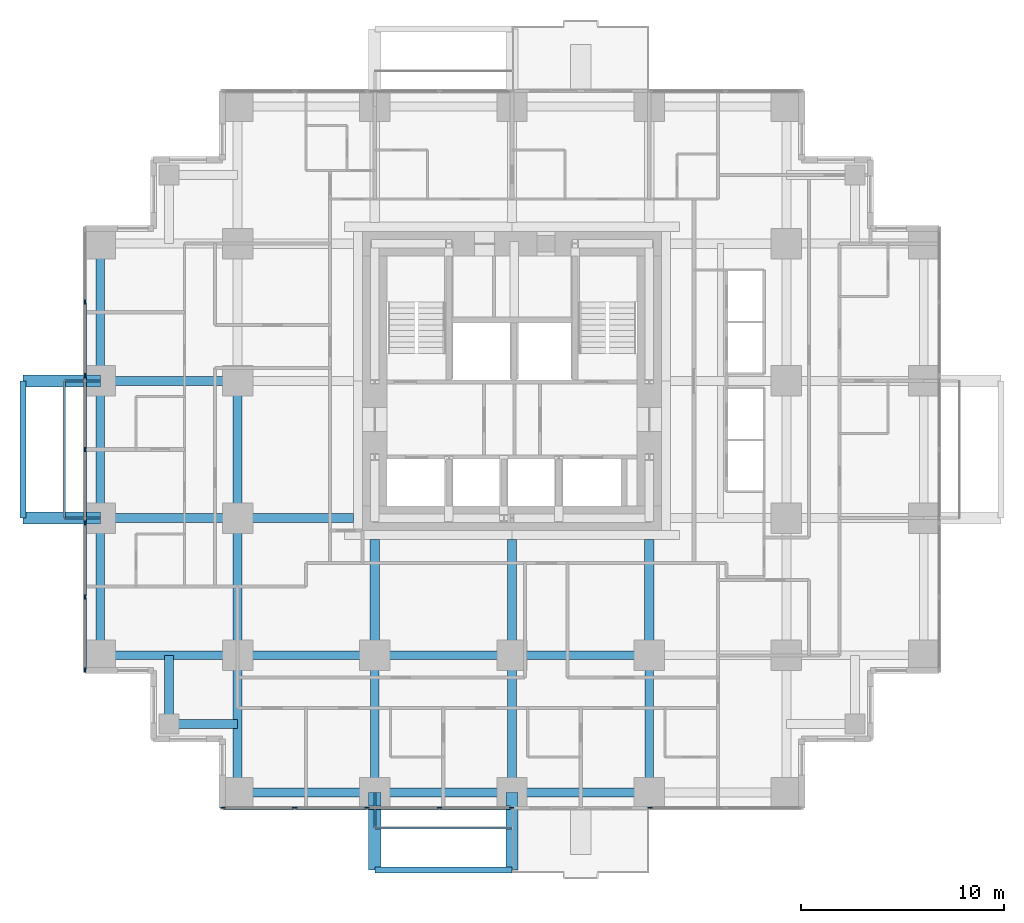
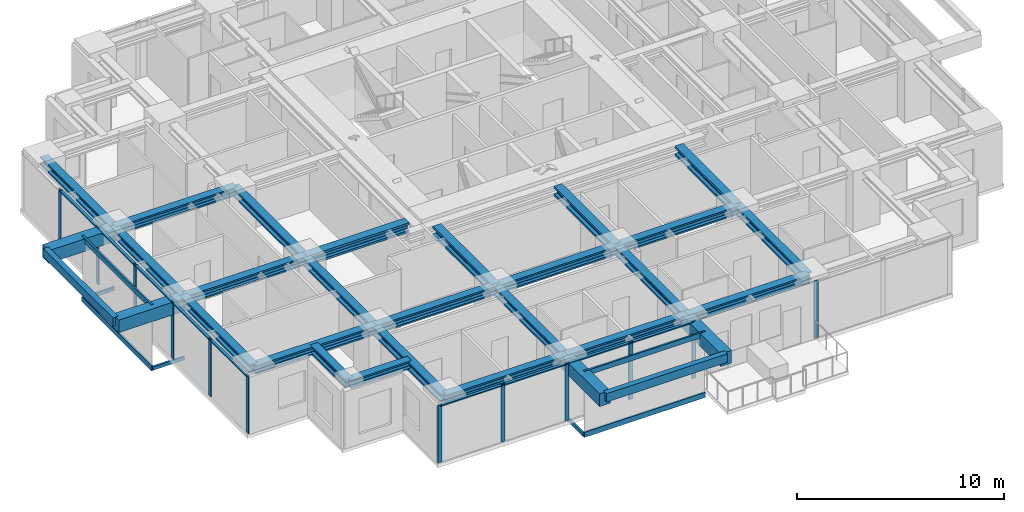
# One storey, part 2 of 12: 30 beams, 28 members, 3 elements without a shape of their own.
"""IFC4 building model written with IfcOpenShell, lengths in metres."""

from ifc_helpers import new_model, si_unit, direction, frame, origin, origin_2d, place, context, subcontext, project, spatial, rectangle, hollow_rectangle, i_section, extrude, material, material_profile, profile_set, type_object, element, aggregate, save


model = new_model("IFC4")

# Units and contexts
model_context = context("Model", 3, precision=1e-05, world=origin(), true_north=direction((0.0, 1.0)))
body_context = subcontext(model_context, "Body", "Model", "MODEL_VIEW")
ifc_project = project(units=[si_unit("LENGTHUNIT", "METRE"), si_unit("AREAUNIT", "SQUARE_METRE"), si_unit("VOLUMEUNIT", "CUBIC_METRE"), si_unit("PLANEANGLEUNIT", "RADIAN"), si_unit("MASSUNIT", "GRAM", prefix="KILO")], contexts=[model_context])

# Site, building, storey
site_placement = place(None, origin())
site = spatial("IfcSite", under=ifc_project, at=site_placement, CompositionType="ELEMENT")
building_placement = place(site_placement, origin())
building = spatial("IfcBuilding", under=site, at=building_placement, Name="Nyansa Garden Tower", CompositionType="ELEMENT")
storey_placement = place(building_placement, frame((0.0, 0.0, 112.5)))
storey = spatial("IfcBuildingStorey", under=building, at=storey_placement, Name="L30", CompositionType="ELEMENT", Elevation=112.5)

# Beams
ifc_material_1 = material(Name="Concrete C70/85", Category="concrete")
ifc_material_profile_1 = material_profile(ifc_material_1, rectangle(XDim=0.60009765625, YDim=0.75, at=origin_2d()), Name="RC 600x750")
ifc_profile_set_1 = profile_set([ifc_material_profile_1], Name="Concrete C70/85")
beam_type_1 = type_object("IfcBeamType", Name="Balcony cantilever beam CB1 RC 600x750", PredefinedType="BEAM", material=ifc_profile_set_1)
for number, where, z_axis, x_axis, name in (
    (1, (13.5, 0.0, 2.985107421875), (0.0, -1.0, 0.0), (1.0, 0.0, 0.0), "Balcony cantilever beam L31"),
    (2, (20.25, 0.0, 2.985107421875), (0.0, -1.0, 0.0), (1.0, 0.0, 0.0), "Balcony cantilever beam L31"),
    (3, (0.0, 13.5, 2.985107421875), (-1.0, 0.0, 0.0), (0.0, -1.0, 0.0), "Balcony cantilever beam L31"),
    (4, (0.0, 20.25, 2.985107421875), (-1.0, 0.0, 0.0), (0.0, -1.0, 0.0), "Balcony cantilever beam L31"),
):
    element("IfcBeam", number, at=place(storey_placement, frame(where, z_axis=z_axis, x_axis=x_axis)), inside=storey, type_object=beam_type_1, Name=name, PredefinedType="BEAM", context=body_context, shape_type="SweptSolid", body=[
        extrude(rectangle(XDim=0.60009765625, YDim=0.75, at=origin_2d()), origin(), (0.0, 0.0, 1.0), 3.800048828125),
    ])
ifc_material_2 = material(Name="Concrete C70/85", Category="concrete")
ifc_material_profile_2 = material_profile(ifc_material_2, rectangle(XDim=0.300048828125, YDim=0.5, at=origin_2d()), Name="RC 300x500")
ifc_profile_set_2 = profile_set([ifc_material_profile_2], Name="Concrete C70/85")
beam_type_2 = type_object("IfcBeamType", Name="Balcony edge beam BE1 RC 300x500", PredefinedType="BEAM", material=ifc_profile_set_2)
for number, where, z_axis, x_axis, name in (
    (5, (13.5, -3.800048828125, 3.110107421875), (1.0, 0.0, 0.0), (0.0, 1.0, 0.0), "Balcony edge beam L31"),
    (6, (-3.800048828125, 13.5, 3.110107421875), (0.0, 1.0, 0.0), (-1.0, 0.0, 0.0), "Balcony edge beam L31"),
):
    element("IfcBeam", number, at=place(storey_placement, frame(where, z_axis=z_axis, x_axis=x_axis)), inside=storey, type_object=beam_type_2, Name=name, PredefinedType="BEAM", context=body_context, shape_type="SweptSolid", body=[
        extrude(rectangle(XDim=0.300048828125, YDim=0.5, at=origin_2d()), origin(), (0.0, 0.0, 1.0), 6.75),
    ])

# Curtain wall, members
ifc_material_3 = material(Name="Black anodised aluminium, dark tinted double glazing", Category="aluminium")
curtain_wall_type = type_object("IfcCurtainWallType", Name="Inner skin curtain wall ISW-B", PredefinedType="USERDEFINED", material=ifc_material_3)
curtain_wall_1_placement = place(storey_placement, origin())
curtain_wall_1 = element("IfcCurtainWall", 7, at=curtain_wall_1_placement, inside=storey, type_object=curtain_wall_type, Name="Inner skin curtain wall L30 W", ObjectType="UNITISED CURTAIN WALL", PredefinedType="USERDEFINED")
ifc_material_4 = material(Name="Black anodised aluminium", Category="aluminium")
ifc_material_profile_3 = material_profile(ifc_material_4, rectangle(XDim=0.06494140625, YDim=0.22509765625, at=origin_2d()), Name="Mullion 225x65")
ifc_profile_set_3 = profile_set([ifc_material_profile_3], Name="Black anodised aluminium")
member_type_1 = type_object("IfcMemberType", Name="Mullion ISW-B 225x65", PredefinedType="MULLION", material=ifc_profile_set_3)
member_1_placement = place(storey_placement, frame((-0.75, 24.125, 0.0), z_axis=(0.0, 0.0, 1.0), x_axis=(1.0, 0.0, 0.0)))
member_1 = element("IfcMember", 8, at=member_1_placement, type_object=member_type_1, Name="ISW-B mullion 2", PredefinedType="MULLION", context=body_context, shape_type="SweptSolid", body=[
    extrude(rectangle(XDim=0.06494140625, YDim=0.22509765625, at=origin_2d()), origin(), (0.0, 0.0, 1.0), 3.375),
])
member_2_placement = place(storey_placement, frame((-0.75, 20.5, 0.0), z_axis=(0.0, 0.0, 1.0), x_axis=(1.0, 0.0, 0.0)))
member_2 = element("IfcMember", 9, at=member_2_placement, type_object=member_type_1, Name="ISW-B mullion 3", PredefinedType="MULLION", context=body_context, shape_type="SweptSolid", body=[
    extrude(rectangle(XDim=0.06494140625, YDim=0.22509765625, at=origin_2d()), origin(), (0.0, 0.0, 1.0), 3.375),
])
member_3_placement = place(storey_placement, frame((-0.75, 16.875, 0.0), z_axis=(0.0, 0.0, 1.0), x_axis=(1.0, 0.0, 0.0)))
member_3 = element("IfcMember", 10, at=member_3_placement, type_object=member_type_1, Name="ISW-B mullion 4", PredefinedType="MULLION", context=body_context, shape_type="SweptSolid", body=[
    extrude(rectangle(XDim=0.06494140625, YDim=0.22509765625, at=origin_2d()), origin(), (0.0, 0.0, 1.0), 3.375),
])
member_4_placement = place(storey_placement, frame((-0.75, 13.25, 0.0), z_axis=(0.0, 0.0, 1.0), x_axis=(1.0, 0.0, 0.0)))
member_4 = element("IfcMember", 11, at=member_4_placement, type_object=member_type_1, Name="ISW-B mullion 5", PredefinedType="MULLION", context=body_context, shape_type="SweptSolid", body=[
    extrude(rectangle(XDim=0.06494140625, YDim=0.22509765625, at=origin_2d()), origin(), (0.0, 0.0, 1.0), 3.375),
])
member_5_placement = place(storey_placement, frame((-0.75, 9.625, 0.0), z_axis=(0.0, 0.0, 1.0), x_axis=(1.0, 0.0, 0.0)))
member_5 = element("IfcMember", 12, at=member_5_placement, type_object=member_type_1, Name="ISW-B mullion 6", PredefinedType="MULLION", context=body_context, shape_type="SweptSolid", body=[
    extrude(rectangle(XDim=0.06494140625, YDim=0.22509765625, at=origin_2d()), origin(), (0.0, 0.0, 1.0), 3.375),
])
member_6_placement = place(storey_placement, frame((-0.75, 6.032470703125, 0.0), z_axis=(0.0, 0.0, 1.0), x_axis=(1.0, 0.0, 0.0)))
member_6 = element("IfcMember", 13, at=member_6_placement, type_object=member_type_1, Name="ISW-B mullion 7", PredefinedType="MULLION", context=body_context, shape_type="SweptSolid", body=[
    extrude(rectangle(XDim=0.06494140625, YDim=0.22509765625, at=origin_2d()), origin(), (0.0, 0.0, 1.0), 3.375),
])

curtain_wall_2_placement = place(storey_placement, origin())
curtain_wall_2 = element("IfcCurtainWall", 14, at=curtain_wall_2_placement, inside=storey, type_object=curtain_wall_type, Name="Inner skin curtain wall L30 S", ObjectType="UNITISED CURTAIN WALL", PredefinedType="USERDEFINED")
member_7_placement = place(storey_placement, frame((6.032470703125, -0.75, 0.0), z_axis=(0.0, 0.0, 1.0), x_axis=(0.0, 1.0, 0.0)))
member_7 = element("IfcMember", 15, at=member_7_placement, type_object=member_type_1, Name="ISW-B mullion 1", PredefinedType="MULLION", context=body_context, shape_type="SweptSolid", body=[
    extrude(rectangle(XDim=0.06494140625, YDim=0.22509765625, at=origin_2d()), origin(), (0.0, 0.0, 1.0), 3.375),
])
member_8_placement = place(storey_placement, frame((9.5625, -0.75, 0.0), z_axis=(0.0, 0.0, 1.0), x_axis=(0.0, 1.0, 0.0)))
member_8 = element("IfcMember", 16, at=member_8_placement, type_object=member_type_1, Name="ISW-B mullion 2", PredefinedType="MULLION", context=body_context, shape_type="SweptSolid", body=[
    extrude(rectangle(XDim=0.06494140625, YDim=0.22509765625, at=origin_2d()), origin(), (0.0, 0.0, 1.0), 3.375),
])
member_9_placement = place(storey_placement, frame((13.125, -0.75, 0.0), z_axis=(0.0, 0.0, 1.0), x_axis=(0.0, 1.0, 0.0)))
member_9 = element("IfcMember", 17, at=member_9_placement, type_object=member_type_1, Name="ISW-B mullion 3", PredefinedType="MULLION", context=body_context, shape_type="SweptSolid", body=[
    extrude(rectangle(XDim=0.06494140625, YDim=0.22509765625, at=origin_2d()), origin(), (0.0, 0.0, 1.0), 3.375),
])
member_10_placement = place(storey_placement, frame((16.6875, -0.75, 0.0), z_axis=(0.0, 0.0, 1.0), x_axis=(0.0, 1.0, 0.0)))
member_10 = element("IfcMember", 18, at=member_10_placement, type_object=member_type_1, Name="ISW-B mullion 4", PredefinedType="MULLION", context=body_context, shape_type="SweptSolid", body=[
    extrude(rectangle(XDim=0.06494140625, YDim=0.22509765625, at=origin_2d()), origin(), (0.0, 0.0, 1.0), 3.375),
])
member_11_placement = place(storey_placement, frame((20.217529296875, -0.75, 0.0), z_axis=(0.0, 0.0, 1.0), x_axis=(0.0, 1.0, 0.0)))
member_11 = element("IfcMember", 19, at=member_11_placement, type_object=member_type_1, Name="ISW-B mullion 5", PredefinedType="MULLION", context=body_context, shape_type="SweptSolid", body=[
    extrude(rectangle(XDim=0.06494140625, YDim=0.22509765625, at=origin_2d()), origin(), (0.0, 0.0, 1.0), 3.375),
])

# Curtain wall, member
curtain_wall_3_placement = place(storey_placement, origin())
curtain_wall_3 = element("IfcCurtainWall", 20, at=curtain_wall_3_placement, inside=storey, type_object=curtain_wall_type, Name="Inner skin curtain wall L30 S", ObjectType="UNITISED CURTAIN WALL", PredefinedType="USERDEFINED")
member_12_placement = place(storey_placement, frame((27.032470703125, -0.75, 0.0), z_axis=(0.0, 0.0, 1.0), x_axis=(0.0, 1.0, 0.0)))
member_12 = element("IfcMember", 21, at=member_12_placement, type_object=member_type_1, Name="ISW-B mullion 1", PredefinedType="MULLION", context=body_context, shape_type="SweptSolid", body=[
    extrude(rectangle(XDim=0.06494140625, YDim=0.22509765625, at=origin_2d()), origin(), (0.0, 0.0, 1.0), 3.375),
])
aggregate(curtain_wall_3, [member_12])

# Members
ifc_material_5 = material(Name="Steel S355, black powder coated", Category="steel")
ifc_material_profile_4 = material_profile(ifc_material_5, hollow_rectangle(XDim=0.10009765625, YDim=0.199951171875, WallThickness=0.008056640625, at=origin_2d()), Name="RHS 200x100x8")
ifc_profile_set_4 = profile_set([ifc_material_profile_4], Name="Steel S355, black powder coated")
member_type_2 = type_object("IfcMemberType", Name="Outer skin bracket arm RHS 200x100x8", PredefinedType="USERDEFINED", material=ifc_profile_set_4)
for number, where, z_axis, x_axis, name in (
    (22, (0.0, 13.5, -0.375), (-1.0, 0.0, 0.0), (0.0, -1.0, 0.0), "Outer skin bracket arm"),
    (23, (0.0, 20.25, -0.375), (-1.0, 0.0, 0.0), (0.0, -1.0, 0.0), "Outer skin bracket arm"),
    (24, (13.5, 0.0, -0.375), (0.0, -1.0, 0.0), (1.0, 0.0, 0.0), "Outer skin bracket arm"),
):
    element("IfcMember", number, at=place(storey_placement, frame(where, z_axis=z_axis, x_axis=x_axis)), inside=storey, type_object=member_type_2, Name=name, ObjectType="OUTER SKIN BRACKET", PredefinedType="USERDEFINED", context=body_context, shape_type="SweptSolid", body=[
        extrude(hollow_rectangle(XDim=0.10009765625, YDim=0.199951171875, WallThickness=0.008056640625, at=origin_2d()), origin(), (0.0, 0.0, 1.0), 1.75),
    ])
ifc_material_6 = material(Name="Steel S355, black powder coated", Category="steel")
ifc_material_profile_5 = material_profile(ifc_material_6, hollow_rectangle(XDim=0.10009765625, YDim=0.300048828125, WallThickness=0.010009765625, at=origin_2d()), Name="RHS 300x100x10")
ifc_profile_set_5 = profile_set([ifc_material_profile_5], Name="Steel S355, black powder coated")
member_type_3 = type_object("IfcMemberType", Name="Outer skin rail RHS 300x100x10", PredefinedType="USERDEFINED", material=ifc_profile_set_5)
for number, where, z_axis, x_axis, name in (
    (25, (-1.75, 13.5, -0.375), (0.0, 1.0, 0.0), (-1.0, 0.0, 0.0), "Outer skin rail L30"),
    (26, (-1.75, 13.5, 3.22509765625), (0.0, 1.0, 0.0), (-1.0, 0.0, 0.0), "Outer skin rail L30 head"),
    (27, (13.5, -1.75, -0.375), (1.0, 0.0, 0.0), (0.0, 1.0, 0.0), "Outer skin rail L30"),
    (28, (13.5, -1.75, 3.22509765625), (1.0, 0.0, 0.0), (0.0, 1.0, 0.0), "Outer skin rail L30 head"),
):
    element("IfcMember", number, at=place(storey_placement, frame(where, z_axis=z_axis, x_axis=x_axis)), inside=storey, type_object=member_type_3, Name=name, ObjectType="OUTER SKIN RAIL", PredefinedType="USERDEFINED", context=body_context, shape_type="SweptSolid", body=[
        extrude(hollow_rectangle(XDim=0.10009765625, YDim=0.300048828125, WallThickness=0.010009765625, at=origin_2d()), origin(), (0.0, 0.0, 1.0), 6.75),
    ])

# Beams
ifc_material_7 = material(Name="Steel S355", Category="steel")
ifc_material_profile_6 = material_profile(ifc_material_7, i_section(OverallWidth=0.431884765625, OverallDepth=0.498046875, WebThickness=0.0556640625, FlangeThickness=0.0888671875, FilletRadius=0.014892578125, at=origin_2d()), Name="HD 400x744")
ifc_profile_set_6 = profile_set([ifc_material_profile_6], Name="Steel S355")
beam_type_3 = type_object("IfcBeamType", Name="Steel beam SBB1-744 HD 400x744", PredefinedType="BEAM", material=ifc_profile_set_6)
for number, where, z_axis, x_axis, name in (
    (29, (0.0, 6.75, 3.1259765625), (1.0, 0.0, 0.0), (0.0, 1.0, 0.0), "Steel beam 2/E-3/E L31"),
    (30, (0.0, 13.5, 3.1259765625), (1.0, 0.0, 0.0), (0.0, 1.0, 0.0), "Steel beam 2/F-3/F L31"),
    (31, (0.0, 20.25, 3.1259765625), (1.0, 0.0, 0.0), (0.0, 1.0, 0.0), "Steel beam 2/G-3/G L31"),
    (32, (6.75, 0.0, 3.1259765625), (0.0, 1.0, 0.0), (-1.0, 0.0, 0.0), "Steel beam 3/D-3/E L31"),
    (33, (6.75, 6.75, 3.1259765625), (0.0, 1.0, 0.0), (-1.0, 0.0, 0.0), "Steel beam 3/E-3/F L31"),
    (34, (6.75, 6.75, 3.1259765625), (1.0, 0.0, 0.0), (0.0, 1.0, 0.0), "Steel beam 3/E-4/E L31"),
    (35, (6.75, 13.5, 3.1259765625), (0.0, 1.0, 0.0), (-1.0, 0.0, 0.0), "Steel beam 3/F-3/G L31"),
    (36, (13.5, 0.0, 3.1259765625), (0.0, 1.0, 0.0), (-1.0, 0.0, 0.0), "Steel beam 4/D-4/E L31"),
    (37, (13.5, 6.75, 3.1259765625), (1.0, 0.0, 0.0), (0.0, 1.0, 0.0), "Steel beam 4/E-5/E L31"),
    (38, (20.25, 0.0, 3.1259765625), (0.0, 1.0, 0.0), (-1.0, 0.0, 0.0), "Steel beam 5/D-5/E L31"),
    (39, (20.25, 6.75, 3.1259765625), (1.0, 0.0, 0.0), (0.0, 1.0, 0.0), "Steel beam 5/E-6/E L31"),
    (40, (27.0, 0.0, 3.1259765625), (0.0, 1.0, 0.0), (-1.0, 0.0, 0.0), "Steel beam 6/D-6/E L31"),
):
    element("IfcBeam", number, at=place(storey_placement, frame(where, z_axis=z_axis, x_axis=x_axis)), inside=storey, type_object=beam_type_3, Name=name, PredefinedType="BEAM", context=body_context, shape_type="SweptSolid", body=[
        extrude(i_section(OverallWidth=0.431884765625, OverallDepth=0.498046875, WebThickness=0.0556640625, FlangeThickness=0.0888671875, FilletRadius=0.014892578125, at=origin_2d()), origin(), (0.0, 0.0, 1.0), 6.75),
    ])
ifc_material_8 = material(Name="Steel S355", Category="steel")
ifc_material_profile_7 = material_profile(ifc_material_8, i_section(OverallWidth=0.4541015625, OverallDepth=0.569091796875, WebThickness=0.077880859375, FlangeThickness=0.125, FilletRadius=0.014892578125, at=origin_2d()), Name="HD 400x1086")
ifc_profile_set_7 = profile_set([ifc_material_profile_7], Name="Steel S355")
beam_type_4 = type_object("IfcBeamType", Name="Steel beam SCL-1086 HD 400x1086", PredefinedType="BEAM", material=ifc_profile_set_7)
for number, where, z_axis, x_axis, name in (
    (41, (6.75, 13.5, 3.090576171875), (1.0, 0.0, 0.0), (0.0, 1.0, 0.0), "Steel beam 3/F-12.450/F L31"),
    (42, (13.5, 6.75, 3.090576171875), (0.0, 1.0, 0.0), (-1.0, 0.0, 0.0), "Steel beam 4/E-4/12.450 L31"),
    (43, (20.25, 6.75, 3.090576171875), (0.0, 1.0, 0.0), (-1.0, 0.0, 0.0), "Steel beam 5/E-5/12.450 L31"),
    (44, (27.0, 6.75, 3.090576171875), (0.0, 1.0, 0.0), (-1.0, 0.0, 0.0), "Steel beam 6/E-6/12.450 L31"),
):
    element("IfcBeam", number, at=place(storey_placement, frame(where, z_axis=z_axis, x_axis=x_axis)), inside=storey, type_object=beam_type_4, Name=name, PredefinedType="BEAM", context=body_context, shape_type="SweptSolid", body=[
        extrude(i_section(OverallWidth=0.4541015625, OverallDepth=0.569091796875, WebThickness=0.077880859375, FlangeThickness=0.125, FilletRadius=0.014892578125, at=origin_2d()), origin(), (0.0, 0.0, 1.0), 5.699951171875),
    ])
ifc_material_9 = material(Name="Steel S355", Category="steel")
ifc_material_profile_8 = material_profile(ifc_material_9, i_section(OverallWidth=0.431884765625, OverallDepth=0.498046875, WebThickness=0.0556640625, FlangeThickness=0.0888671875, FilletRadius=0.014892578125, at=origin_2d()), Name="HD 400x744")
ifc_profile_set_8 = profile_set([ifc_material_profile_8], Name="Steel S355")
beam_type_5 = type_object("IfcBeamType", Name="Steel beam SEBB-744 HD 400x744", PredefinedType="BEAM", material=ifc_profile_set_8)
for number, where, z_axis, x_axis, name in (
    (45, (0.0, 6.75, 3.1259765625), (0.0, 1.0, 0.0), (-1.0, 0.0, 0.0), "Steel edge beam 2/E-2/F L31"),
    (46, (0.0, 13.5, 3.1259765625), (0.0, 1.0, 0.0), (-1.0, 0.0, 0.0), "Steel edge beam 2/F-2/G L31"),
    (47, (0.0, 20.25, 3.1259765625), (0.0, 1.0, 0.0), (-1.0, 0.0, 0.0), "Steel edge beam 2/G-2/H L31"),
    (48, (6.75, 0.0, 3.1259765625), (1.0, 0.0, 0.0), (0.0, 1.0, 0.0), "Steel edge beam 3/D-4/D L31"),
    (49, (13.5, 0.0, 3.1259765625), (1.0, 0.0, 0.0), (0.0, 1.0, 0.0), "Steel edge beam 4/D-5/D L31"),
    (50, (20.25, 0.0, 3.1259765625), (1.0, 0.0, 0.0), (0.0, 1.0, 0.0), "Steel edge beam 5/D-6/D L31"),
):
    element("IfcBeam", number, at=place(storey_placement, frame(where, z_axis=z_axis, x_axis=x_axis)), inside=storey, type_object=beam_type_5, Name=name, PredefinedType="BEAM", context=body_context, shape_type="SweptSolid", body=[
        extrude(i_section(OverallWidth=0.431884765625, OverallDepth=0.498046875, WebThickness=0.0556640625, FlangeThickness=0.0888671875, FilletRadius=0.014892578125, at=origin_2d()), origin(), (0.0, 0.0, 1.0), 6.75),
    ])
ifc_material_10 = material(Name="Steel S355", Category="steel")
ifc_material_profile_9 = material_profile(ifc_material_10, i_section(OverallWidth=0.431884765625, OverallDepth=0.498046875, WebThickness=0.0556640625, FlangeThickness=0.0888671875, FilletRadius=0.014892578125, at=origin_2d()), Name="HD 400x744")
ifc_profile_set_9 = profile_set([ifc_material_profile_9], Name="Steel S355")
beam_type_6 = type_object("IfcBeamType", Name="Steel beam SSB1-744 HD 400x744", PredefinedType="BEAM", material=ifc_profile_set_9)
for number, where, z_axis, x_axis, name in (
    (51, (3.375, 3.375, 3.1259765625), (0.0, 1.0, 0.0), (-1.0, 0.0, 0.0), "Steel step beam 3.375/3.375 L31"),
    (52, (3.375, 3.375, 3.1259765625), (1.0, 0.0, 0.0), (0.0, 1.0, 0.0), "Steel step beam 3.375/3.375 L31"),
):
    element("IfcBeam", number, at=place(storey_placement, frame(where, z_axis=z_axis, x_axis=x_axis)), inside=storey, type_object=beam_type_6, Name=name, PredefinedType="BEAM", context=body_context, shape_type="SweptSolid", body=[
        extrude(i_section(OverallWidth=0.431884765625, OverallDepth=0.498046875, WebThickness=0.0556640625, FlangeThickness=0.0888671875, FilletRadius=0.014892578125, at=origin_2d()), origin(), (0.0, 0.0, 1.0), 3.375),
    ])

# Member
ifc_material_11 = material(Name="Black anodised aluminium", Category="aluminium")
ifc_material_profile_10 = material_profile(ifc_material_11, rectangle(XDim=0.1650390625, YDim=0.06494140625, at=origin_2d()), Name="Transom 165x65")
ifc_profile_set_10 = profile_set([ifc_material_profile_10], Name="Black anodised aluminium")
member_type_4 = type_object("IfcMemberType", Name="Transom ISW-B 165x65", PredefinedType="USERDEFINED", material=ifc_profile_set_10)
member_13_placement = place(storey_placement, frame((-0.75, 24.092529296875, 3.342529296875), z_axis=(0.0, -1.0, 0.0), x_axis=(1.0, 0.0, 0.0)))
member_13 = element("IfcMember", 53, at=member_13_placement, type_object=member_type_4, Name="ISW-B transom 2", ObjectType="TRANSOM", PredefinedType="USERDEFINED", context=body_context, shape_type="SweptSolid", body=[
    extrude(rectangle(XDim=0.1650390625, YDim=0.06494140625, at=origin_2d()), origin(), (0.0, 0.0, 1.0), 3.56005859375),
])

member_14_placement = place(storey_placement, frame((-0.75, 20.467529296875, 3.342529296875), z_axis=(0.0, -1.0, 0.0), x_axis=(1.0, 0.0, 0.0)))
member_14 = element("IfcMember", 54, at=member_14_placement, type_object=member_type_4, Name="ISW-B transom 3", ObjectType="TRANSOM", PredefinedType="USERDEFINED", context=body_context, shape_type="SweptSolid", body=[
    extrude(rectangle(XDim=0.1650390625, YDim=0.06494140625, at=origin_2d()), origin(), (0.0, 0.0, 1.0), 3.56005859375),
])

member_15_placement = place(storey_placement, frame((-0.75, 16.842529296875, 3.342529296875), z_axis=(0.0, -1.0, 0.0), x_axis=(1.0, 0.0, 0.0)))
member_15 = element("IfcMember", 55, at=member_15_placement, type_object=member_type_4, Name="ISW-B transom 4", ObjectType="TRANSOM", PredefinedType="USERDEFINED", context=body_context, shape_type="SweptSolid", body=[
    extrude(rectangle(XDim=0.1650390625, YDim=0.06494140625, at=origin_2d()), origin(), (0.0, 0.0, 1.0), 3.56005859375),
])

member_16_placement = place(storey_placement, frame((-0.75, 13.217529296875, 3.342529296875), z_axis=(0.0, -1.0, 0.0), x_axis=(1.0, 0.0, 0.0)))
member_16 = element("IfcMember", 56, at=member_16_placement, type_object=member_type_4, Name="ISW-B transom 5", ObjectType="TRANSOM", PredefinedType="USERDEFINED", context=body_context, shape_type="SweptSolid", body=[
    extrude(rectangle(XDim=0.1650390625, YDim=0.06494140625, at=origin_2d()), origin(), (0.0, 0.0, 1.0), 3.56005859375),
])

member_17_placement = place(storey_placement, frame((-0.75, 9.592529296875, 3.342529296875), z_axis=(0.0, -1.0, 0.0), x_axis=(1.0, 0.0, 0.0)))
member_17 = element("IfcMember", 57, at=member_17_placement, type_object=member_type_4, Name="ISW-B transom 6", ObjectType="TRANSOM", PredefinedType="USERDEFINED", context=body_context, shape_type="SweptSolid", body=[
    extrude(rectangle(XDim=0.1650390625, YDim=0.06494140625, at=origin_2d()), origin(), (0.0, 0.0, 1.0), 3.527587890625),
])

aggregate(curtain_wall_1, [member_1, member_2, member_3, member_4, member_5, member_6, member_13, member_14, member_15, member_16, member_17])

member_18_placement = place(storey_placement, frame((6.06494140625, -0.75, 3.342529296875), z_axis=(1.0, 0.0, 0.0), x_axis=(0.0, 1.0, 0.0)))
member_18 = element("IfcMember", 58, at=member_18_placement, type_object=member_type_4, Name="ISW-B transom 1", ObjectType="TRANSOM", PredefinedType="USERDEFINED", context=body_context, shape_type="SweptSolid", body=[
    extrude(rectangle(XDim=0.1650390625, YDim=0.06494140625, at=origin_2d()), origin(), (0.0, 0.0, 1.0), 3.465087890625),
])

member_19_placement = place(storey_placement, frame((9.594970703125, -0.75, 3.342529296875), z_axis=(1.0, 0.0, 0.0), x_axis=(0.0, 1.0, 0.0)))
member_19 = element("IfcMember", 59, at=member_19_placement, type_object=member_type_4, Name="ISW-B transom 2", ObjectType="TRANSOM", PredefinedType="USERDEFINED", context=body_context, shape_type="SweptSolid", body=[
    extrude(rectangle(XDim=0.1650390625, YDim=0.06494140625, at=origin_2d()), origin(), (0.0, 0.0, 1.0), 3.49755859375),
])

member_20_placement = place(storey_placement, frame((13.157470703125, -0.75, 3.342529296875), z_axis=(1.0, 0.0, 0.0), x_axis=(0.0, 1.0, 0.0)))
member_20 = element("IfcMember", 60, at=member_20_placement, type_object=member_type_4, Name="ISW-B transom 3", ObjectType="TRANSOM", PredefinedType="USERDEFINED", context=body_context, shape_type="SweptSolid", body=[
    extrude(rectangle(XDim=0.1650390625, YDim=0.06494140625, at=origin_2d()), origin(), (0.0, 0.0, 1.0), 3.49755859375),
])

member_21_placement = place(storey_placement, frame((16.719970703125, -0.75, 3.342529296875), z_axis=(1.0, 0.0, 0.0), x_axis=(0.0, 1.0, 0.0)))
member_21 = element("IfcMember", 61, at=member_21_placement, type_object=member_type_4, Name="ISW-B transom 4", ObjectType="TRANSOM", PredefinedType="USERDEFINED", context=body_context, shape_type="SweptSolid", body=[
    extrude(rectangle(XDim=0.1650390625, YDim=0.06494140625, at=origin_2d()), origin(), (0.0, 0.0, 1.0), 3.465087890625),
])

aggregate(curtain_wall_2, [member_7, member_8, member_9, member_10, member_11, member_18, member_19, member_20, member_21])

save(model, "model.ifc")
